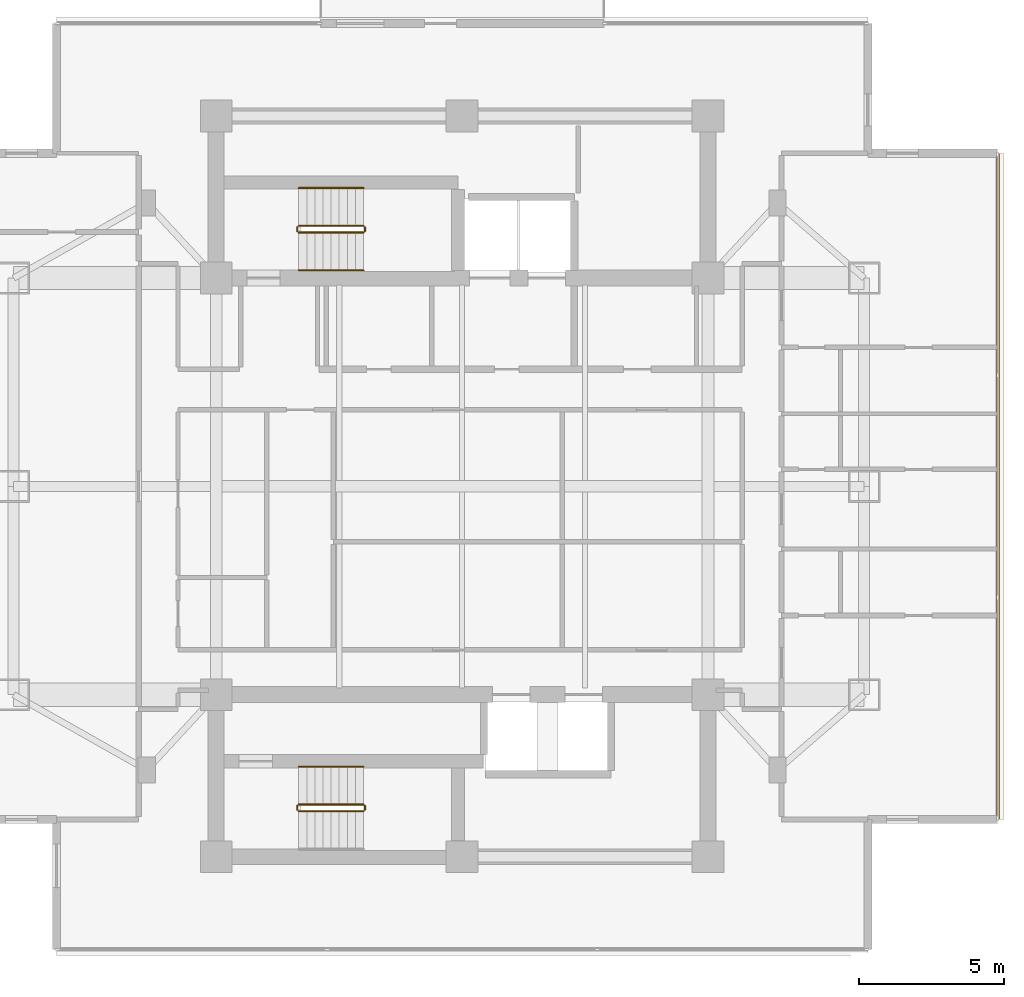
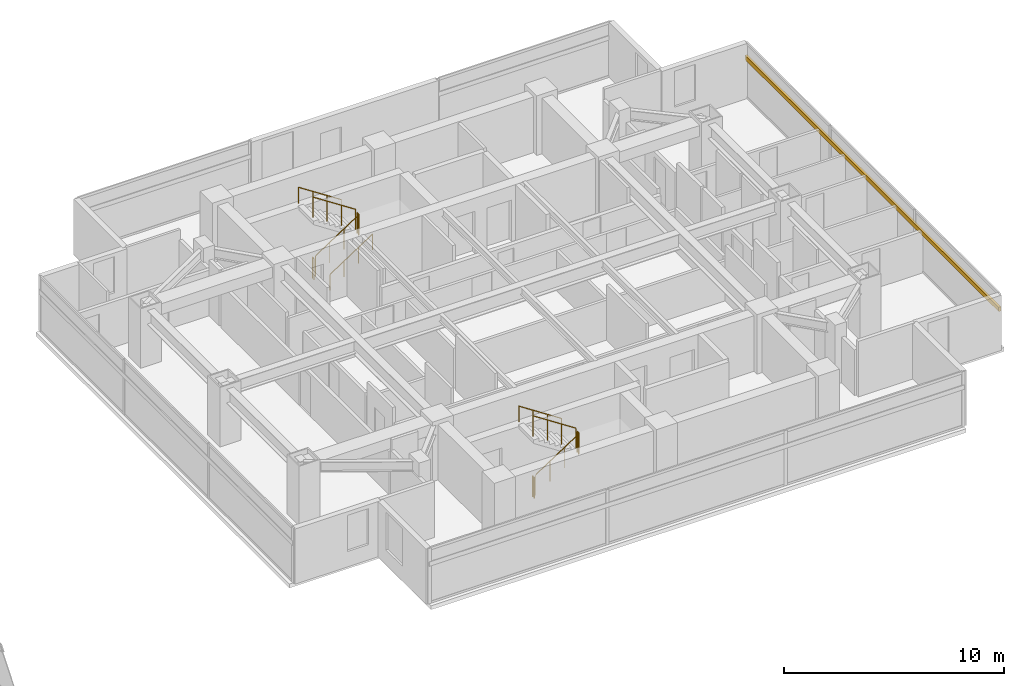
# One storey, part 23 of 24: 11 railings, 1 shading device.
"""IFC4 building model written with IfcOpenShell, lengths in metres."""

from ifc_helpers import new_model, si_unit, direction, frame, origin, origin_2d, place, context, subcontext, project, spatial, rectangle, circle, extrude, material, material_profile, profile_set, type_object, element, save


model = new_model("IFC4")

# Units and contexts
model_context = context("Model", 3, precision=1e-05, world=origin(), true_north=direction((0.0, 1.0)))
body_context = subcontext(model_context, "Body", "Model", "MODEL_VIEW")
ifc_project = project(units=[si_unit("LENGTHUNIT", "METRE"), si_unit("AREAUNIT", "SQUARE_METRE"), si_unit("VOLUMEUNIT", "CUBIC_METRE"), si_unit("PLANEANGLEUNIT", "RADIAN"), si_unit("MASSUNIT", "GRAM", prefix="KILO")], contexts=[model_context])

# Site, building, storey
site_placement = place(None, origin())
site = spatial("IfcSite", under=ifc_project, at=site_placement, CompositionType="ELEMENT")
building_placement = place(site_placement, origin())
building = spatial("IfcBuilding", under=site, at=building_placement, Name="Mirazonda Arch Towers", CompositionType="ELEMENT")
storey_placement = place(building_placement, frame((0.0, 0.0, 141.199951171875)))
storey = spatial("IfcBuildingStorey", under=building, at=storey_placement, Name="L40", CompositionType="ELEMENT", Elevation=141.199951171875)

# Shading device
ifc_material_1 = material(Name="Kiln-Fired Architectural Terracotta", Category="masonry")
ifc_material_profile = material_profile(ifc_material_1, rectangle(XDim=0.1201171875, YDim=0.239990234375, at=origin_2d()), Name="TERRA-BAG-120x240")
ifc_profile_set = profile_set([ifc_material_profile], Name="Kiln-Fired Architectural Terracotta")
shading_device_type = type_object("IfcShadingDeviceType", Name="BAGUETTE-1", PredefinedType="USERDEFINED", material=ifc_profile_set)
shading_device_placement = place(storey_placement, frame((95.010986328125, 16.484375, 2.203369140625), z_axis=(0.0, 1.0, 0.0), x_axis=(-1.0, 0.0, 0.0)))
element("IfcShadingDevice", 1, at=shading_device_placement, inside=storey, type_object=shading_device_type, Name="L40 Glazed Terracotta Sun-Screen Baguette CW-L40-T2-E", ObjectType="BAGUETTE", PredefinedType="USERDEFINED", context=body_context, shape_type="SweptSolid", body=[
    extrude(rectangle(XDim=0.1201171875, YDim=0.239990234375, at=origin_2d()), origin(), (0.0, 0.0, 1.0), 23.03125),
])

# Railings
ifc_material_2 = material(Name="Architectural Brushed Steel S355", Category="steel")
railing_type_1 = type_object("IfcRailingType", Name="GUARD-STAIR-1120", PredefinedType="GUARDRAIL", material=ifc_material_2)
railing_1_placement = place(storey_placement, frame((70.85009765625, 36.77001953125, 0.183349609375)))
element("IfcRailing", 2, at=railing_1_placement, inside=storey, type_object=railing_type_1, Name="L40 ST-T2N stair guard 1", PredefinedType="GUARDRAIL", context=body_context, shape_type="SweptSolid", body=[
    extrude(circle(Radius=0.02392578125, at=origin_2d()), frame((0.0, 0.0, 1.1259765625), z_axis=(0.836595146698, 0.0, 0.547821650285), x_axis=(0.0, 1.0, 0.0)), (0.0, 0.0, 1.0), 2.677490234375),
    extrude(circle(Radius=0.02099609375, at=origin_2d()), origin(), (0.0, 0.0, 1.0), 1.101806640625),
    extrude(circle(Radius=0.02099609375, at=origin_2d()), frame((0.74658203125, 0.0, 0.489013671875)), (0.0, 0.0, 1.0), 1.101806640625),
    extrude(circle(Radius=0.02099609375, at=origin_2d()), frame((1.493408203125, 0.0, 0.977783203125)), (0.0, 0.0, 1.0), 1.101806640625),
    extrude(circle(Radius=0.02099609375, at=origin_2d()), frame((2.239990234375, 0.0, 1.466796875)), (0.0, 0.0, 1.0), 1.101806640625),
])
railing_2_placement = place(storey_placement, frame((73.139892578125, 36.820068359375, 1.650146484375)))
element("IfcRailing", 3, at=railing_2_placement, inside=storey, type_object=railing_type_1, Name="L40 ST-T2N stair guard 2", PredefinedType="GUARDRAIL", context=body_context, shape_type="SweptSolid", body=[
    extrude(circle(Radius=0.02392578125, at=origin_2d()), frame((0.0, 0.0, 1.1259765625), z_axis=(0.0, 1.0, 0.0), x_axis=(-1.0, 0.0, 0.0)), (0.0, 0.0, 1.0), 0.139892578125),
    extrude(circle(Radius=0.02099609375, at=origin_2d()), origin(), (0.0, 0.0, 1.0), 1.101806640625),
    extrude(circle(Radius=0.02099609375, at=origin_2d()), frame((0.0, 0.139892578125, 0.0)), (0.0, 0.0, 1.0), 1.101806640625),
])
railing_3_placement = place(storey_placement, frame((73.090087890625, 37.010009765625, 1.83349609375)))
element("IfcRailing", 4, at=railing_3_placement, inside=storey, type_object=railing_type_1, Name="L40 ST-T2N stair guard 3", PredefinedType="GUARDRAIL", context=body_context, shape_type="SweptSolid", body=[
    extrude(circle(Radius=0.02392578125, at=origin_2d()), frame((0.0, 0.0, 1.1259765625), z_axis=(-0.836636935527, 0.0, 0.547757827979), x_axis=(0.0, -1.0, 0.0)), (0.0, 0.0, 1.0), 2.677490234375),
    extrude(circle(Radius=0.02099609375, at=origin_2d()), origin(), (0.0, 0.0, 1.0), 1.101806640625),
    extrude(circle(Radius=0.02099609375, at=origin_2d()), frame((-0.74658203125, 0.0, 0.48876953125)), (0.0, 0.0, 1.0), 1.101806640625),
    extrude(circle(Radius=0.02099609375, at=origin_2d()), frame((-1.493408203125, 0.0, 0.977783203125)), (0.0, 0.0, 1.0), 1.101806640625),
    extrude(circle(Radius=0.02099609375, at=origin_2d()), frame((-2.239990234375, 0.0, 1.466552734375)), (0.0, 0.0, 1.0), 1.101806640625),
])
railing_4_placement = place(storey_placement, frame((70.800048828125, 36.820068359375, 0.0)))
element("IfcRailing", 5, at=railing_4_placement, inside=storey, type_object=railing_type_1, Name="L40 ST-T2N stair guard 4", PredefinedType="GUARDRAIL", context=body_context, shape_type="SweptSolid", body=[
    extrude(circle(Radius=0.02392578125, at=origin_2d()), frame((0.0, 0.0, 1.1259765625), z_axis=(0.0, 1.0, 0.0), x_axis=(-1.0, 0.0, 0.0)), (0.0, 0.0, 1.0), 0.139892578125),
    extrude(circle(Radius=0.02099609375, at=origin_2d()), origin(), (0.0, 0.0, 1.0), 1.101806640625),
    extrude(circle(Radius=0.02099609375, at=origin_2d()), frame((0.0, 0.139892578125, 0.0)), (0.0, 0.0, 1.0), 1.101806640625),
])
railing_5_placement = place(storey_placement, frame((70.85009765625, 16.77001953125, 0.183349609375)))
element("IfcRailing", 6, at=railing_5_placement, inside=storey, type_object=railing_type_1, Name="L40 ST-T2S stair guard 1", PredefinedType="GUARDRAIL", context=body_context, shape_type="SweptSolid", body=[
    extrude(circle(Radius=0.02392578125, at=origin_2d()), frame((0.0, 0.0, 1.1259765625), z_axis=(0.836595146698, 0.0, 0.547821650285), x_axis=(0.0, 1.0, 0.0)), (0.0, 0.0, 1.0), 2.677490234375),
    extrude(circle(Radius=0.02099609375, at=origin_2d()), origin(), (0.0, 0.0, 1.0), 1.101806640625),
    extrude(circle(Radius=0.02099609375, at=origin_2d()), frame((0.74658203125, 0.0, 0.489013671875)), (0.0, 0.0, 1.0), 1.101806640625),
    extrude(circle(Radius=0.02099609375, at=origin_2d()), frame((1.493408203125, 0.0, 0.977783203125)), (0.0, 0.0, 1.0), 1.101806640625),
    extrude(circle(Radius=0.02099609375, at=origin_2d()), frame((2.239990234375, 0.0, 1.466796875)), (0.0, 0.0, 1.0), 1.101806640625),
])
railing_6_placement = place(storey_placement, frame((73.139892578125, 16.820068359375, 1.650146484375)))
element("IfcRailing", 7, at=railing_6_placement, inside=storey, type_object=railing_type_1, Name="L40 ST-T2S stair guard 2", PredefinedType="GUARDRAIL", context=body_context, shape_type="SweptSolid", body=[
    extrude(circle(Radius=0.02392578125, at=origin_2d()), frame((0.0, 0.0, 1.1259765625), z_axis=(0.0, 1.0, 0.0), x_axis=(-1.0, 0.0, 0.0)), (0.0, 0.0, 1.0), 0.139892578125),
    extrude(circle(Radius=0.02099609375, at=origin_2d()), origin(), (0.0, 0.0, 1.0), 1.101806640625),
    extrude(circle(Radius=0.02099609375, at=origin_2d()), frame((0.0, 0.139892578125, 0.0)), (0.0, 0.0, 1.0), 1.101806640625),
])
railing_7_placement = place(storey_placement, frame((73.090087890625, 17.010009765625, 1.83349609375)))
element("IfcRailing", 8, at=railing_7_placement, inside=storey, type_object=railing_type_1, Name="L40 ST-T2S stair guard 3", PredefinedType="GUARDRAIL", context=body_context, shape_type="SweptSolid", body=[
    extrude(circle(Radius=0.02392578125, at=origin_2d()), frame((0.0, 0.0, 1.1259765625), z_axis=(-0.836636935527, 0.0, 0.547757827979), x_axis=(0.0, -1.0, 0.0)), (0.0, 0.0, 1.0), 2.677490234375),
    extrude(circle(Radius=0.02099609375, at=origin_2d()), origin(), (0.0, 0.0, 1.0), 1.101806640625),
    extrude(circle(Radius=0.02099609375, at=origin_2d()), frame((-0.74658203125, 0.0, 0.48876953125)), (0.0, 0.0, 1.0), 1.101806640625),
    extrude(circle(Radius=0.02099609375, at=origin_2d()), frame((-1.493408203125, 0.0, 0.977783203125)), (0.0, 0.0, 1.0), 1.101806640625),
    extrude(circle(Radius=0.02099609375, at=origin_2d()), frame((-2.239990234375, 0.0, 1.466552734375)), (0.0, 0.0, 1.0), 1.101806640625),
])
railing_8_placement = place(storey_placement, frame((70.800048828125, 16.820068359375, 0.0)))
element("IfcRailing", 9, at=railing_8_placement, inside=storey, type_object=railing_type_1, Name="L40 ST-T2S stair guard 4", PredefinedType="GUARDRAIL", context=body_context, shape_type="SweptSolid", body=[
    extrude(circle(Radius=0.02392578125, at=origin_2d()), frame((0.0, 0.0, 1.1259765625), z_axis=(0.0, 1.0, 0.0), x_axis=(-1.0, 0.0, 0.0)), (0.0, 0.0, 1.0), 0.139892578125),
    extrude(circle(Radius=0.02099609375, at=origin_2d()), origin(), (0.0, 0.0, 1.0), 1.101806640625),
    extrude(circle(Radius=0.02099609375, at=origin_2d()), frame((0.0, 0.139892578125, 0.0)), (0.0, 0.0, 1.0), 1.101806640625),
])
railing_type_2 = type_object("IfcRailingType", Name="HANDRAIL-915", PredefinedType="HANDRAIL", material=ifc_material_2)
railing_9_placement = place(storey_placement, frame((70.85009765625, 35.469970703125, 0.183349609375)))
element("IfcRailing", 10, at=railing_9_placement, inside=storey, type_object=railing_type_2, Name="L40 ST-T2N stair handrail 1", PredefinedType="HANDRAIL", context=body_context, shape_type="SweptSolid", body=[
    extrude(circle(Radius=0.02392578125, at=origin_2d()), frame((0.0, 0.0, 0.8759765625), z_axis=(0.836595146698, 0.0, 0.547821650285), x_axis=(0.0, 1.0, 0.0)), (0.0, 0.0, 1.0), 2.677490234375),
    extrude(circle(Radius=0.02099609375, at=origin_2d()), origin(), (0.0, 0.0, 1.0), 0.851806640625),
    extrude(circle(Radius=0.02099609375, at=origin_2d()), frame((0.74658203125, 0.0, 0.489013671875)), (0.0, 0.0, 1.0), 0.851806640625),
    extrude(circle(Radius=0.02099609375, at=origin_2d()), frame((1.493408203125, 0.0, 0.977783203125)), (0.0, 0.0, 1.0), 0.851806640625),
    extrude(circle(Radius=0.02099609375, at=origin_2d()), frame((2.239990234375, 0.0, 1.466796875)), (0.0, 0.0, 1.0), 0.851806640625),
])
for number, where, name in (
    (11, (73.090087890625, 38.31005859375, 1.83349609375), "L40 ST-T2N stair handrail 2"),
    (12, (73.090087890625, 18.31005859375, 1.83349609375), "L40 ST-T2S stair handrail 2"),
):
    element("IfcRailing", number, at=place(storey_placement, frame(where)), inside=storey, type_object=railing_type_2, Name=name, PredefinedType="HANDRAIL", context=body_context, shape_type="SweptSolid", body=[
        extrude(circle(Radius=0.02392578125, at=origin_2d()), frame((0.0, 0.0, 0.8759765625), z_axis=(-0.836636935527, 0.0, 0.547757827979), x_axis=(0.0, -1.0, 0.0)), (0.0, 0.0, 1.0), 2.677490234375),
        extrude(circle(Radius=0.02099609375, at=origin_2d()), origin(), (0.0, 0.0, 1.0), 0.851806640625),
        extrude(circle(Radius=0.02099609375, at=origin_2d()), frame((-0.74658203125, 0.0, 0.48876953125)), (0.0, 0.0, 1.0), 0.851806640625),
        extrude(circle(Radius=0.02099609375, at=origin_2d()), frame((-1.493408203125, 0.0, 0.977783203125)), (0.0, 0.0, 1.0), 0.851806640625),
        extrude(circle(Radius=0.02099609375, at=origin_2d()), frame((-2.239990234375, 0.0, 1.466552734375)), (0.0, 0.0, 1.0), 0.851806640625),
    ])

save(model, "model.ifc")
